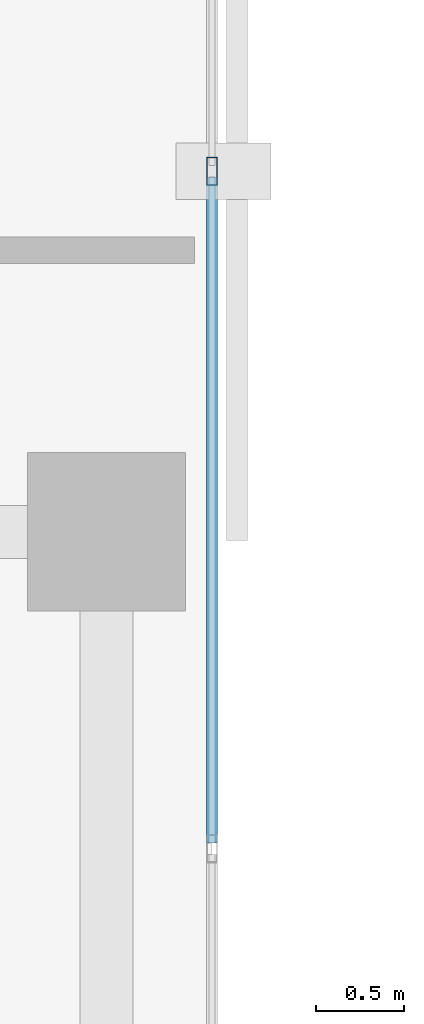
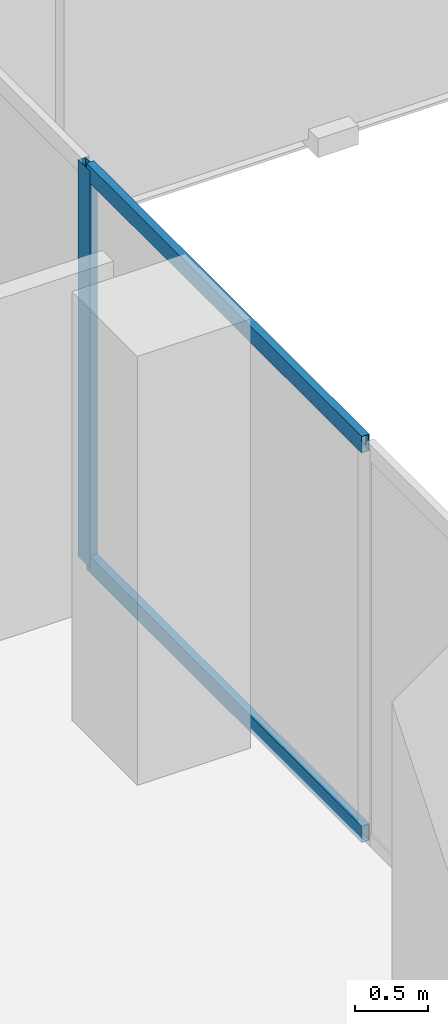
# One storey, part 8 of 33: 3 members, 1 element without a shape of its own.
"""IFC4 building model written with IfcOpenShell, lengths in metres."""

from ifc_helpers import new_model, si_unit, direction, frame, origin, origin_2d, place, context, subcontext, project, spatial, hollow_rectangle, extrude, material, layer, layer_set, material_profile, profile_set, type_object, element, aggregate, save


model = new_model("IFC4")

# Units and contexts
model_context = context("Model", 3, precision=1e-05, world=origin(), true_north=direction((0.0, 1.0)))
body_context = subcontext(model_context, "Body", "Model", "MODEL_VIEW")
ifc_project = project(units=[si_unit("LENGTHUNIT", "METRE"), si_unit("AREAUNIT", "SQUARE_METRE"), si_unit("VOLUMEUNIT", "CUBIC_METRE"), si_unit("PLANEANGLEUNIT", "RADIAN"), si_unit("MASSUNIT", "GRAM", prefix="KILO")], contexts=[model_context])

# Site, building, storey
site_placement = place(None, origin())
site = spatial("IfcSite", under=ifc_project, at=site_placement, CompositionType="ELEMENT")
building_placement = place(site_placement, origin())
building = spatial("IfcBuilding", under=site, at=building_placement, Name="Catumbela Crestline Tower", CompositionType="ELEMENT")
storey_placement = place(building_placement, frame((0.0, 0.0, 104.4)))
storey = spatial("IfcBuildingStorey", under=building, at=storey_placement, Name="L26", CompositionType="ELEMENT", Elevation=104.4)

# Curtain wall, members
ifc_material = material(Name="Aluminium alloy AW-6060-T66", Category="aluminium")
ifc_layer = layer(ifc_material, 0.18, Name="Aluminium alloy AW-6060-T66")
ifc_layer_set = layer_set([ifc_layer], Name="Aluminium alloy AW-6060-T66")
curtain_wall_type = type_object("IfcCurtainWallType", Name="CWU-Z2", PredefinedType="USERDEFINED", material=ifc_layer_set)
curtain_wall_placement = place(storey_placement, origin())
curtain_wall = element("IfcCurtainWall", 1, at=curtain_wall_placement, inside=storey, type_object=curtain_wall_type, Name="L26 Unitised Curtain Wall CW-L26-E2S1", ObjectType="UNITISED", PredefinedType="USERDEFINED")
ifc_material_profile_1 = material_profile(ifc_material, hollow_rectangle(XDim=0.06, YDim=0.16, WallThickness=0.004, at=origin_2d()), Name="ALU 160x60x4")
ifc_profile_set_1 = profile_set([ifc_material_profile_1], Name="Aluminium alloy AW-6060-T66")
member_type_1 = type_object("IfcMemberType", Name="MUL-160X60", PredefinedType="MULLION", material=ifc_profile_set_1)
member_1_placement = place(storey_placement, frame((24.0, 20.05, 0.0), z_axis=(0.0, 0.0, 1.0), x_axis=(-1.0, 0.0, 0.0)))
member_1 = element("IfcMember", 2, at=member_1_placement, type_object=member_type_1, Name="CWU-Z2 mullion 4", PredefinedType="MULLION", context=body_context, shape_type="SweptSolid", body=[
    extrude(hollow_rectangle(XDim=0.06, YDim=0.16, WallThickness=0.004, at=origin_2d()), origin(), (0.0, 0.0, 1.0), 3.33),
])
ifc_material_profile_2 = material_profile(ifc_material, hollow_rectangle(XDim=0.06, YDim=0.14, WallThickness=0.004, at=origin_2d()), Name="ALU 140x60x4")
ifc_profile_set_2 = profile_set([ifc_material_profile_2], Name="Aluminium alloy AW-6060-T66")
member_type_2 = type_object("IfcMemberType", Name="TRN-140X60", PredefinedType="USERDEFINED", material=ifc_profile_set_2)
member_2_placement = place(storey_placement, frame((24.0, 16.2325, 0.03), z_axis=(0.0, 1.0, 0.0), x_axis=(-1.0, 0.0, 0.0)))
member_2 = element("IfcMember", 3, at=member_2_placement, type_object=member_type_2, Name="CWU-Z2 transom 3.1", ObjectType="TRANSOM", PredefinedType="USERDEFINED", context=body_context, shape_type="SweptSolid", body=[
    extrude(hollow_rectangle(XDim=0.06, YDim=0.14, WallThickness=0.004, at=origin_2d()), origin(), (0.0, 0.0, 1.0), 3.785),
])
member_3_placement = place(storey_placement, frame((24.0, 16.2325, 3.3), z_axis=(0.0, 1.0, 0.0), x_axis=(-1.0, 0.0, 0.0)))
member_3 = element("IfcMember", 4, at=member_3_placement, type_object=member_type_2, Name="CWU-Z2 transom 3.2", ObjectType="TRANSOM", PredefinedType="USERDEFINED", context=body_context, shape_type="SweptSolid", body=[
    extrude(hollow_rectangle(XDim=0.06, YDim=0.14, WallThickness=0.004, at=origin_2d()), origin(), (0.0, 0.0, 1.0), 3.785),
])
aggregate(curtain_wall, [member_1, member_2, member_3])

save(model, "model.ifc")
